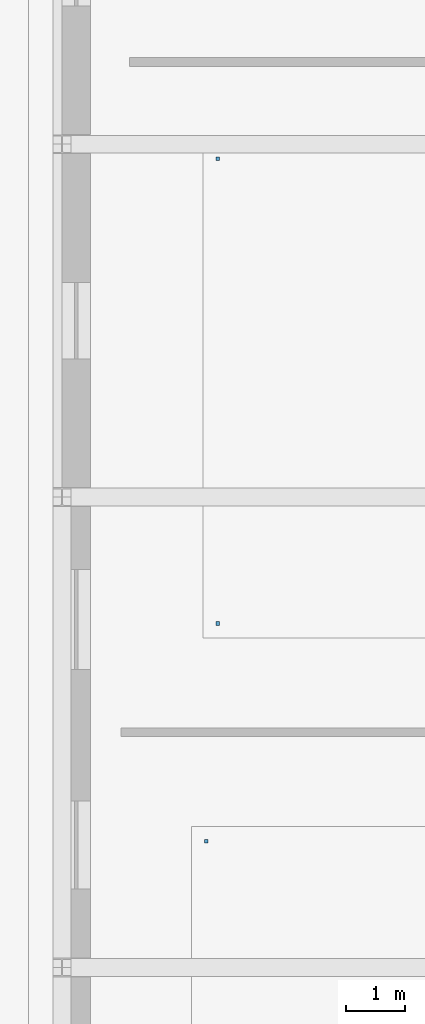
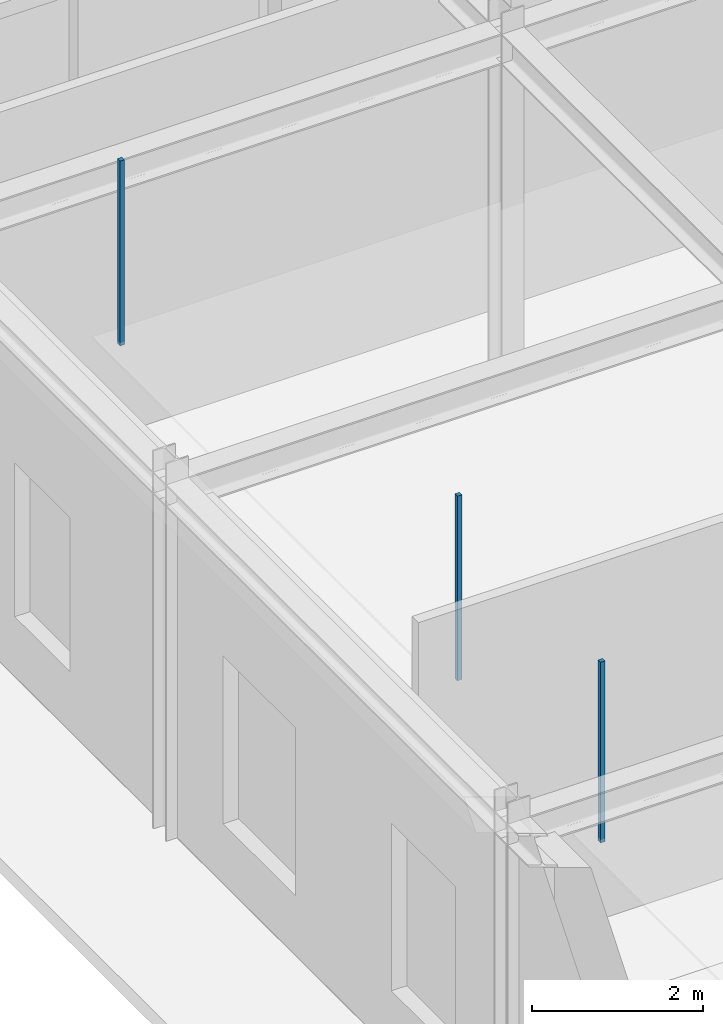
# One storey, part 93 of 129: 3 discrete accessories.
"""IFC4 building model written with IfcOpenShell, lengths in metres."""

from ifc_helpers import new_model, si_unit, direction, frame, origin, origin_2d, place, context, subcontext, project, spatial, rectangle, extrude, material, type_object, element, save


model = new_model("IFC4")

# Units and contexts
model_context = context("Model", 3, precision=1e-05, world=origin(), true_north=direction((0.0, 1.0)))
body_context = subcontext(model_context, "Body", "Model", "MODEL_VIEW")
ifc_project = project(units=[si_unit("LENGTHUNIT", "METRE"), si_unit("AREAUNIT", "SQUARE_METRE"), si_unit("VOLUMEUNIT", "CUBIC_METRE"), si_unit("PLANEANGLEUNIT", "RADIAN"), si_unit("MASSUNIT", "GRAM", prefix="KILO")], contexts=[model_context])

# Site, building, storey
site_placement = place(None, origin())
site = spatial("IfcSite", under=ifc_project, at=site_placement, CompositionType="ELEMENT")
building_placement = place(site_placement, origin())
building = spatial("IfcBuilding", under=site, at=building_placement, Name="Sundkrona Museum", CompositionType="ELEMENT")
storey_placement = place(building_placement, origin())
storey = spatial("IfcBuildingStorey", under=building, at=storey_placement, Name="L00", CompositionType="ELEMENT", Elevation=0.0)

# Discrete accessories
ifc_material = material(Name="Stainless Steel EN 1.4404 Cleat", Category="steel")
discrete_accessory_type = type_object("IfcDiscreteAccessoryType", Name="BRK-FIN-01", PredefinedType="BRACKET", material=ifc_material)
discrete_accessory_placement = place(storey_placement, frame((2.449951171875, 96.14990234375, 2.550048828125), z_axis=(0.0, 0.0, 1.0), x_axis=(1.0, 0.0, 0.0)))
element("IfcDiscreteAccessory", 1, at=discrete_accessory_placement, inside=storey, type_object=discrete_accessory_type, Name="L00 Permanent Visual Arts Gallery Ceiling Hanger 4", PredefinedType="BRACKET", context=body_context, shape_type="SweptSolid", body=[
    extrude(rectangle(XDim=0.06005859375, YDim=0.06005859375, at=origin_2d()), origin(), (0.0, 0.0, 1.0), 2.580078125),
])
for number, where, z_axis, x_axis, name in (
    (2, (2.64990234375, 99.85009765625, 2.55029296875), (0.0, 0.0, 1.0), (1.0, 0.0, 0.0), "L00 Temporary Exhibition Hall Ceiling Hanger 1"),
    (3, (2.64990234375, 107.75, 2.55029296875), (0.0, 0.0, 1.0), (1.0, 0.0, 0.0), "L00 Temporary Exhibition Hall Ceiling Hanger 4"),
):
    element("IfcDiscreteAccessory", number, at=place(storey_placement, frame(where, z_axis=z_axis, x_axis=x_axis)), inside=storey, type_object=discrete_accessory_type, Name=name, PredefinedType="BRACKET", context=body_context, shape_type="SweptSolid", body=[
        extrude(rectangle(XDim=0.06005859375, YDim=0.06005859375, at=origin_2d()), origin(), (0.0, 0.0, 1.0), 2.639892578125),
    ])

save(model, "model.ifc")
